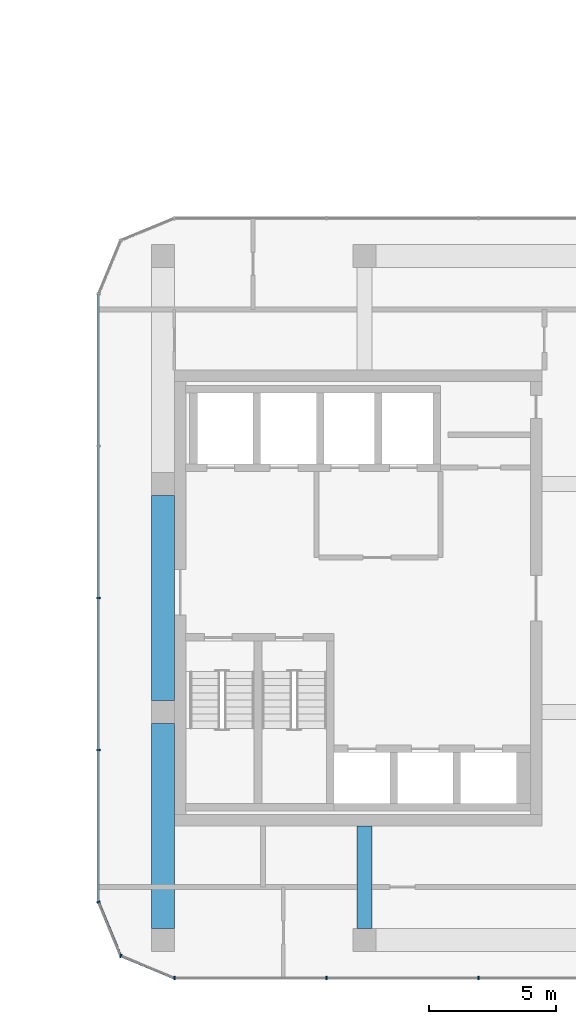
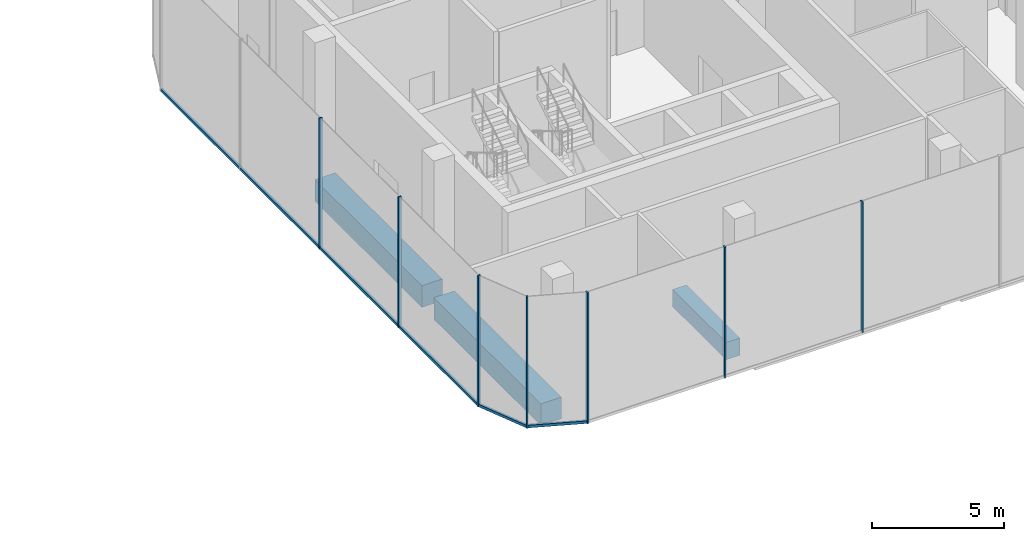
# One storey, part 8 of 24: 10 members, 3 beams, 4 elements without a shape of their own.
"""IFC4 building model written with IfcOpenShell, lengths in metres."""

from ifc_helpers import new_model, si_unit, direction, frame, origin, origin_2d, place, context, subcontext, project, spatial, rectangle, extrude, material, layer, layer_set, material_profile, profile_set, type_object, element, aggregate, save


model = new_model("IFC4")

# Units and contexts
model_context = context("Model", 3, precision=1e-05, world=origin(), true_north=direction((0.0, 1.0)))
body_context = subcontext(model_context, "Body", "Model", "MODEL_VIEW")
ifc_project = project(units=[si_unit("LENGTHUNIT", "METRE"), si_unit("AREAUNIT", "SQUARE_METRE"), si_unit("VOLUMEUNIT", "CUBIC_METRE"), si_unit("PLANEANGLEUNIT", "RADIAN"), si_unit("MASSUNIT", "GRAM", prefix="KILO")], contexts=[model_context])

# Site, building, storey
site_placement = place(None, origin())
site = spatial("IfcSite", under=ifc_project, at=site_placement, CompositionType="ELEMENT")
building_placement = place(site_placement, origin())
building = spatial("IfcBuilding", under=site, at=building_placement, Name="Plateau Cross Towers", CompositionType="ELEMENT")
storey_placement = place(building_placement, frame((0.0, 0.0, 72.300048828125)))
storey = spatial("IfcBuildingStorey", under=building, at=storey_placement, Name="L18", CompositionType="ELEMENT", Elevation=72.300048828125)

# Beams
ifc_material_1 = material(Name="Concrete C60/75", Category="concrete")
ifc_material_profile_1 = material_profile(ifc_material_1, rectangle(XDim=0.89990234375, YDim=1.0, at=origin_2d()), Name="RC 900x1000")
ifc_profile_set_1 = profile_set([ifc_material_profile_1], Name="Concrete C60/75")
beam_type_1 = type_object("IfcBeamType", Name="Belt beam RC 900x1000", PredefinedType="BEAM", material=ifc_profile_set_1)
for number, where, z_axis, x_axis, name in (
    (1, (74.550048828125, 13.050048828125, -0.800048828125), (0.0, -1.0, 0.0), (1.0, 0.0, 0.0), "B-RB09@L18"),
    (2, (74.550048828125, 4.050048828125, -0.800048828125), (0.0, -1.0, 0.0), (1.0, 0.0, 0.0), "B-RB10@L18"),
):
    element("IfcBeam", number, at=place(storey_placement, frame(where, z_axis=z_axis, x_axis=x_axis)), inside=storey, type_object=beam_type_1, Name=name, PredefinedType="BEAM", context=body_context, shape_type="SweptSolid", body=[
        extrude(rectangle(XDim=0.89990234375, YDim=1.0, at=origin_2d()), origin(), (0.0, 0.0, 1.0), 8.10009765625),
    ])
ifc_material_profile_2 = material_profile(ifc_material_1, rectangle(XDim=0.60009765625, YDim=0.800048828125, at=origin_2d()), Name="RC 600x800")
ifc_profile_set_2 = profile_set([ifc_material_profile_2], Name="Concrete C60/75")
beam_type_2 = type_object("IfcBeamType", Name="Core beam RC 600x800", PredefinedType="BEAM", material=ifc_profile_set_2)
beam_placement = place(storey_placement, frame((82.5, 0.0, -0.699951171875), z_axis=(0.0, -1.0, 0.0), x_axis=(1.0, 0.0, 0.0)))
element("IfcBeam", 3, at=beam_placement, inside=storey, type_object=beam_type_2, Name="B-CB01@L18", PredefinedType="BEAM", context=body_context, shape_type="SweptSolid", body=[
    extrude(rectangle(XDim=0.60009765625, YDim=0.800048828125, at=origin_2d()), origin(), (0.0, 0.0, 1.0), 4.050048828125),
])

# Curtain wall, members
ifc_material_2 = material(Name="Dark low-iron glass", Category="glass")
ifc_layer = layer(ifc_material_2, 0.239990234375)
ifc_layer_set = layer_set([ifc_layer], Name="Dark low-iron glass")
curtain_wall_type = type_object("IfcCurtainWallType", Name="Curtain wall office unitised CW-F", PredefinedType="NOTDEFINED", material=ifc_layer_set)
curtain_wall_1_placement = place(storey_placement, origin())
curtain_wall_1 = element("IfcCurtainWall", 4, at=curtain_wall_1_placement, inside=storey, type_object=curtain_wall_type, Name="ENV/B/L18/B750_-60", PredefinedType="NOTDEFINED")
ifc_material_3 = material(Name="Black anodised aluminium", Category="aluminium")
ifc_material_profile_3 = material_profile(ifc_material_3, rectangle(XDim=0.06005859375, YDim=0.139892578125, at=origin_2d()), Name="MULLION 60x140")
ifc_profile_set_3 = profile_set([ifc_material_profile_3], Name="Black anodised aluminium")
member_type_1 = type_object("IfcMemberType", Name="Mullion 60x140 office unitised", PredefinedType="MULLION", material=ifc_profile_set_3)
member_1_placement = place(storey_placement, frame((75.0, -6.0, -0.300048828125), z_axis=(0.0, 0.0, 1.0), x_axis=(1.0, 0.0, 0.0)))
member_1 = element("IfcMember", 5, at=member_1_placement, type_object=member_type_1, Name="CW-F mullion 1", PredefinedType="MULLION", context=body_context, shape_type="SweptSolid", body=[
    extrude(rectangle(XDim=0.06005859375, YDim=0.139892578125, at=origin_2d()), origin(), (0.0, 0.0, 1.0), 6.050048828125),
])
member_2_placement = place(storey_placement, frame((81.0, -6.0, -0.300048828125), z_axis=(0.0, 0.0, 1.0), x_axis=(1.0, 0.0, 0.0)))
member_2 = element("IfcMember", 6, at=member_2_placement, type_object=member_type_1, Name="CW-F mullion 2", PredefinedType="MULLION", context=body_context, shape_type="SweptSolid", body=[
    extrude(rectangle(XDim=0.06005859375, YDim=0.139892578125, at=origin_2d()), origin(), (0.0, 0.0, 1.0), 6.050048828125),
])
member_3_placement = place(storey_placement, frame((87.0, -6.0, -0.300048828125), z_axis=(0.0, 0.0, 1.0), x_axis=(1.0, 0.0, 0.0)))
member_3 = element("IfcMember", 7, at=member_3_placement, type_object=member_type_1, Name="CW-F mullion 3", PredefinedType="MULLION", context=body_context, shape_type="SweptSolid", body=[
    extrude(rectangle(XDim=0.06005859375, YDim=0.139892578125, at=origin_2d()), origin(), (0.0, 0.0, 1.0), 6.050048828125),
])
aggregate(curtain_wall_1, [member_1, member_2, member_3])

curtain_wall_2_placement = place(storey_placement, origin())
curtain_wall_2 = element("IfcCurtainWall", 8, at=curtain_wall_2_placement, inside=storey, type_object=curtain_wall_type, Name="ENV/B/L18/B720_210", PredefinedType="NOTDEFINED")
member_4_placement = place(storey_placement, frame((72.0, 9.0, -0.300048828125), z_axis=(0.0, 0.0, 1.0), x_axis=(0.0, -1.0, 0.0)))
member_4 = element("IfcMember", 9, at=member_4_placement, type_object=member_type_1, Name="CW-F mullion 3", PredefinedType="MULLION", context=body_context, shape_type="SweptSolid", body=[
    extrude(rectangle(XDim=0.06005859375, YDim=0.139892578125, at=origin_2d()), origin(), (0.0, 0.0, 1.0), 6.050048828125),
])
member_5_placement = place(storey_placement, frame((72.0, 3.0, -0.300048828125), z_axis=(0.0, 0.0, 1.0), x_axis=(0.0, -1.0, 0.0)))
member_5 = element("IfcMember", 10, at=member_5_placement, type_object=member_type_1, Name="CW-F mullion 4", PredefinedType="MULLION", context=body_context, shape_type="SweptSolid", body=[
    extrude(rectangle(XDim=0.06005859375, YDim=0.139892578125, at=origin_2d()), origin(), (0.0, 0.0, 1.0), 6.050048828125),
])

# Curtain wall, member
curtain_wall_3_placement = place(storey_placement, origin())
curtain_wall_3 = element("IfcCurtainWall", 11, at=curtain_wall_3_placement, inside=storey, type_object=curtain_wall_type, Name="ENV/B/L18/B720_-30", PredefinedType="NOTDEFINED")
member_6_placement = place(storey_placement, frame((72.0, -3.0, -0.300048828125), z_axis=(0.0, 0.0, 1.0), x_axis=(0.382683612978, -0.923879457699, 0.0)))
member_6 = element("IfcMember", 12, at=member_6_placement, type_object=member_type_1, Name="CW-F mullion 1", PredefinedType="MULLION", context=body_context, shape_type="SweptSolid", body=[
    extrude(rectangle(XDim=0.06005859375, YDim=0.139892578125, at=origin_2d()), origin(), (0.0, 0.0, 1.0), 6.050048828125),
])

curtain_wall_4_placement = place(storey_placement, origin())
curtain_wall_4 = element("IfcCurtainWall", 13, at=curtain_wall_4_placement, inside=storey, type_object=curtain_wall_type, Name="ENV/B/L18/B729_-51", PredefinedType="NOTDEFINED")
member_7_placement = place(storey_placement, frame((72.878662109375, -5.121337890625, -0.300048828125), z_axis=(0.0, 0.0, 1.0), x_axis=(0.923879457699, -0.382683612978, 0.0)))
member_7 = element("IfcMember", 14, at=member_7_placement, type_object=member_type_1, Name="CW-F mullion 1", PredefinedType="MULLION", context=body_context, shape_type="SweptSolid", body=[
    extrude(rectangle(XDim=0.06005859375, YDim=0.139892578125, at=origin_2d()), origin(), (0.0, 0.0, 1.0), 6.050048828125),
])

# Member
ifc_material_profile_4 = material_profile(ifc_material_3, rectangle(XDim=0.10009765625, YDim=0.1201171875, at=origin_2d()), Name="TRANSOM 100x120")
ifc_profile_set_4 = profile_set([ifc_material_profile_4], Name="Black anodised aluminium")
member_type_2 = type_object("IfcMemberType", Name="Transom 100x120 office unitised", PredefinedType="USERDEFINED", material=ifc_profile_set_4)
member_8_placement = place(storey_placement, frame((72.0, 21.0, -0.239990234375), z_axis=(0.0, -1.0, 0.0), x_axis=(1.0, 0.0, 0.0)))
member_8 = element("IfcMember", 15, at=member_8_placement, type_object=member_type_2, Name="CW-F transom", ObjectType="TRANSOM", PredefinedType="USERDEFINED", context=body_context, shape_type="SweptSolid", body=[
    extrude(rectangle(XDim=0.10009765625, YDim=0.1201171875, at=origin_2d()), origin(), (0.0, 0.0, 1.0), 24.0),
])

aggregate(curtain_wall_2, [member_4, member_5, member_8])

member_9_placement = place(storey_placement, frame((72.0, -3.0, -0.239990234375), z_axis=(0.382674207535, -0.923883353507, 0.0), x_axis=(0.923883353507, 0.382674207535, 0.0)))
member_9 = element("IfcMember", 16, at=member_9_placement, type_object=member_type_2, Name="CW-F transom", ObjectType="TRANSOM", PredefinedType="USERDEFINED", context=body_context, shape_type="SweptSolid", body=[
    extrude(rectangle(XDim=0.10009765625, YDim=0.1201171875, at=origin_2d()), origin(), (0.0, 0.0, 1.0), 2.296142578125),
])

aggregate(curtain_wall_3, [member_6, member_9])

member_10_placement = place(storey_placement, frame((72.878662109375, -5.121337890625, -0.239990234375), z_axis=(0.923883353507, -0.382674207535, 0.0), x_axis=(0.382674207535, 0.923883353507, 0.0)))
member_10 = element("IfcMember", 17, at=member_10_placement, type_object=member_type_2, Name="CW-F transom", ObjectType="TRANSOM", PredefinedType="USERDEFINED", context=body_context, shape_type="SweptSolid", body=[
    extrude(rectangle(XDim=0.10009765625, YDim=0.1201171875, at=origin_2d()), origin(), (0.0, 0.0, 1.0), 2.296142578125),
])

aggregate(curtain_wall_4, [member_7, member_10])

save(model, "model.ifc")
